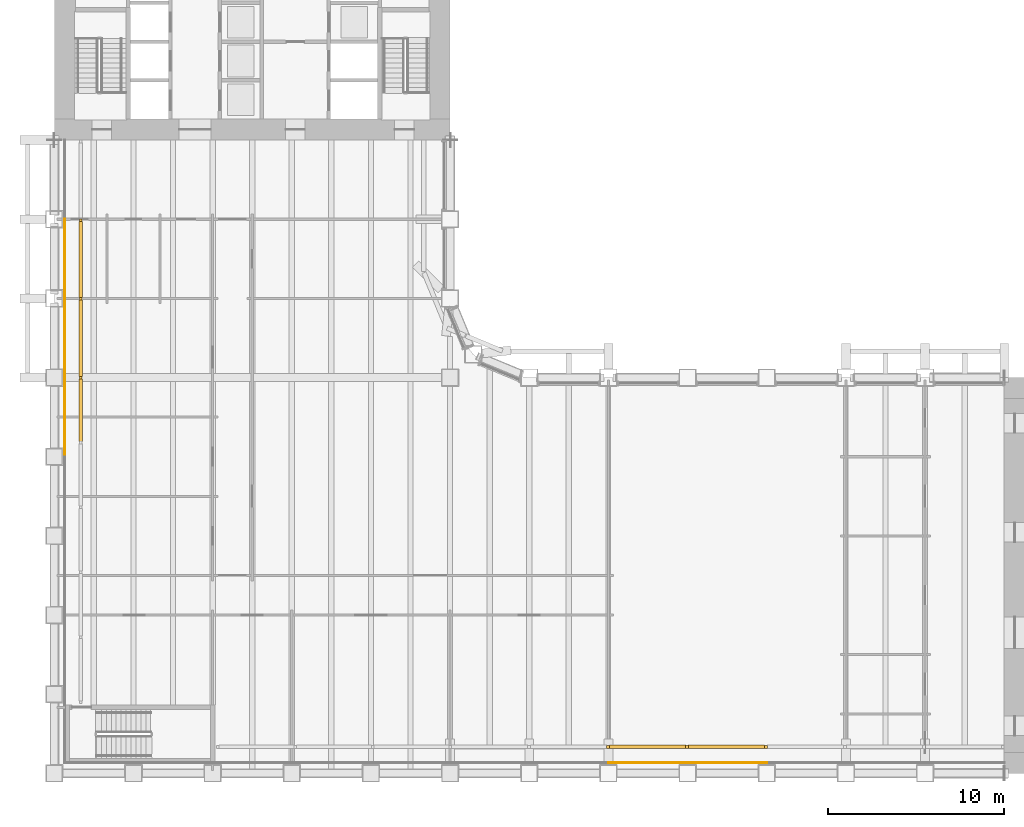
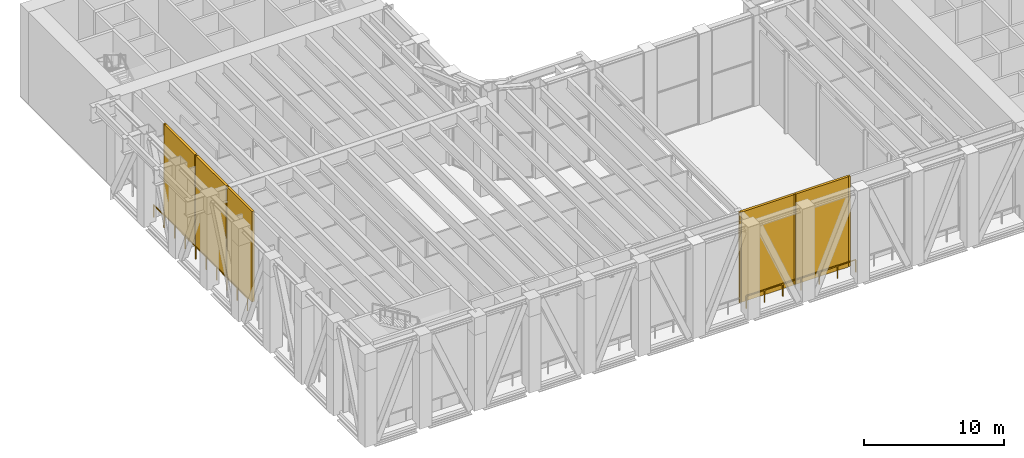
# One storey, part 17 of 21: 11 shading devices, 5 railings.
"""IFC4 building model written with IfcOpenShell, lengths in metres."""

import ifcopenshell
import ifcopenshell.guid

model = None  # the IFC model being written
_history = None  # IfcOwnerHistory: only IFC2X3 demands one
_inside = {}  # id of a spatial element -> (the spatial element, [elements in it])
_under = {}  # id of a project, library or spatial element -> (it, [spatial elements below it])
_declared = {}  # id of a project -> (the project, [libraries it declares])
_typed = {}  # id of a type object -> (the type object, [elements of that type])
_made_of = {}  # id of a material, layer set ... -> (it, [elements and type objects made of it])


def new_model(schema):
    """Start an empty IFC model of exactly this schema.

    Asked for "IFC4X3", IfcOpenShell would pick the latest addendum, in which some entities
    have other attributes; the version numbers below select the first issue.
    IFC2X3 requires an IfcOwnerHistory on every rooted entity: one is made here for all.
    """
    global model, _history
    if schema == "IFC4X3":
        model = ifcopenshell.file(schema_version=(4, 3, 0, 0))
    else:
        model = ifcopenshell.file(schema=schema)
    _inside.clear()
    _under.clear()
    _declared.clear()
    _typed.clear()
    _made_of.clear()
    _history = None
    if model.schema == "IFC2X3":
        org = make("IfcOrganization", Name="unknown")
        user = make(
            "IfcPersonAndOrganization",
            ThePerson=make("IfcPerson", FamilyName="unknown"),
            TheOrganization=org,
        )
        app = make(
            "IfcApplication",
            ApplicationDeveloper=org,
            Version="unknown",
            ApplicationFullName="unknown",
            ApplicationIdentifier="unknown",
        )
        _history = make(
            "IfcOwnerHistory",
            OwningUser=user,
            OwningApplication=app,
            ChangeAction="ADDED",
            CreationDate=0,
        )
    return model


def make(cls, **values):
    """One entity of the class cls with the attributes given. An attribute that is None is left unset."""
    return model.create_entity(
        cls, **{name: value for name, value in values.items() if value is not None}
    )


def rooted(cls, **values):
    """An entity with a GlobalId (a new one), such as an element, a storey or a relation."""
    return make(cls, GlobalId=ifcopenshell.guid.new(), OwnerHistory=_history, **values)


def si_unit(unit_type, name, prefix=None):
    """IfcSIUnit, for example si_unit("LENGTHUNIT", "METRE", prefix="MILLI")."""
    return make("IfcSIUnit", UnitType=unit_type, Prefix=prefix, Name=name)


def assignment(units):
    """IfcUnitAssignment: the units of a project."""
    return None if units is None else make("IfcUnitAssignment", Units=units)


def point(xyz):
    """IfcCartesianPoint."""
    return None if xyz is None else make("IfcCartesianPoint", Coordinates=xyz)


def direction(xyz):
    """IfcDirection."""
    return None if xyz is None else make("IfcDirection", DirectionRatios=xyz)


def frame(location, z_axis=None, x_axis=None):
    """IfcAxis2Placement3D, a coordinate frame: its origin and axes. An axis left out is left unset."""
    return make(
        "IfcAxis2Placement3D",
        Location=point(location),
        Axis=direction(z_axis),
        RefDirection=direction(x_axis),
    )


def frame_2d(location, x_axis=None):
    """IfcAxis2Placement2D, a coordinate frame in the plane: its origin and x axis."""
    return make(
        "IfcAxis2Placement2D", Location=point(location), RefDirection=direction(x_axis)
    )


def origin():
    """The frame at (0, 0, 0) with its axes left unset."""
    return frame((0.0, 0.0, 0.0))


def origin_2d():
    """The frame at (0, 0) in the plane with its x axis left unset."""
    return frame_2d((0.0, 0.0))


def place(relative_to, where):
    """IfcLocalPlacement: puts the frame where relative to a parent placement (None: the world)."""
    return make(
        "IfcLocalPlacement", PlacementRelTo=relative_to, RelativePlacement=where
    )


def context(
    kind, dimensions, precision=None, world=None, true_north=None, identifier=None
):
    """IfcGeometricRepresentationContext, for example the 3D "Model" context."""
    return make(
        "IfcGeometricRepresentationContext",
        ContextIdentifier=identifier,
        ContextType=kind,
        CoordinateSpaceDimension=dimensions,
        Precision=precision,
        WorldCoordinateSystem=world,
        TrueNorth=true_north,
    )


def subcontext(parent, identifier, kind, view, scale=None):
    """IfcGeometricRepresentationSubContext, for example "Body" below "Model"."""
    return make(
        "IfcGeometricRepresentationSubContext",
        ContextIdentifier=identifier,
        ContextType=kind,
        ParentContext=parent,
        TargetScale=scale,
        TargetView=view,
    )


def project(units=None, contexts=None):
    """IfcProject with its units and contexts."""
    return rooted(
        "IfcProject",
        Name="project",
        RepresentationContexts=contexts,
        UnitsInContext=assignment(units),
    )


def spatial(cls, under=None, at=None, **own):
    """A site, building, storey or space (cls), placed at a placement, below another one or the project."""
    s = rooted(cls, ObjectPlacement=at, **own)
    if under is not None:
        _under.setdefault(under.id(), (under, []))[1].append(s)
    return s


def profile(cls, at=None, kind="AREA", **sizes):
    """A parametric profile (cls). Its sizes go by their IFC names, for example OverallWidth=200.0."""
    return make(cls, ProfileType=kind, Position=at, **sizes)


def rectangle(**sizes):
    """IfcRectangleProfileDef."""
    return profile("IfcRectangleProfileDef", **sizes)


def extrude(swept, where, along, depth):
    """IfcExtrudedAreaSolid: the profile swept, set in the frame where, extruded along a direction by depth."""
    return make(
        "IfcExtrudedAreaSolid",
        SweptArea=swept,
        Position=where,
        ExtrudedDirection=direction(along),
        Depth=depth,
    )


def shape(context_of_items, identifier, shape_type, items):
    """IfcShapeRepresentation: the items that make up one representation, for example the "Body"."""
    return make(
        "IfcShapeRepresentation",
        ContextOfItems=context_of_items,
        RepresentationIdentifier=identifier,
        RepresentationType=shape_type,
        Items=items,
    )


def material(Name=None, Category=None):
    """IfcMaterial."""
    return make("IfcMaterial", Name=Name, Category=Category)


def layer(
    of_material, thickness, ventilated=None, Name=None, Category=None, Priority=None
):
    """IfcMaterialLayer: one layer of a wall or slab, of a material (None: an air gap)."""
    return make(
        "IfcMaterialLayer",
        Material=of_material,
        LayerThickness=thickness,
        IsVentilated=ventilated,
        Name=Name,
        Category=Category,
        Priority=Priority,
    )


def layer_set(layers, Name=None):
    """IfcMaterialLayerSet."""
    return make("IfcMaterialLayerSet", MaterialLayers=layers, LayerSetName=Name)


def made_of(thing, what):
    """Note that an element or type object is made of a material, layer set ...; save() writes the relation."""
    if what is not None:
        _made_of.setdefault(what.id(), (what, []))[1].append(thing)
    return thing


def type_object(cls, material=None, **own):
    """A type object (cls), such as IfcWallType, which elements share."""
    return made_of(rooted(cls, **own), material)


def element(
    cls,
    number,
    at=None,
    inside=None,
    cuts=None,
    type_object=None,
    material=None,
    context=None,
    identifier="Body",
    shape_type=None,
    held_by="IfcProductDefinitionShape",
    body=None,
    shapes=None,
    **own,
):
    """One element of the class cls, such as IfcWall. Its Tag is "e" and its number.

    at: its placement. inside: the storey or other place that contains it. cuts: it is an
    opening in that element (IfcRelVoidsElement). A single representation is given by context,
    identifier, shape_type and body (its items); several are given by shapes. held_by: the class
    of the entity that holds the representations. save() writes the other relations.
    """
    e = rooted(cls, Tag="e%d" % number, ObjectPlacement=at, **own)
    if body is not None:
        shapes = [shape(context, identifier, shape_type, body)]
    if shapes is not None:
        e.Representation = make(held_by, Representations=shapes)
    if inside is not None:
        _inside.setdefault(inside.id(), (inside, []))[1].append(e)
    if cuts is not None:
        rooted(
            "IfcRelVoidsElement", RelatingBuildingElement=cuts, RelatedOpeningElement=e
        )
    if type_object is not None:
        _typed.setdefault(type_object.id(), (type_object, []))[1].append(e)
    return made_of(e, material)


def aggregate(whole, parts):
    """IfcRelAggregates: a whole, such as a stair, and the parts it consists of."""
    return rooted("IfcRelAggregates", RelatingObject=whole, RelatedObjects=parts)


def save(model, path):
    """Write the relations noted so far, then the file.

    IfcRelAggregates (storeys below a building ...), IfcRelContainedInSpatialStructure (elements
    in a storey), IfcRelDefinesByType, IfcRelAssociatesMaterial and IfcRelDeclares: one each for
    every whole, place, type object, material and project.
    """
    for whole, parts in _under.values():
        aggregate(whole, parts)
    for where, things in _inside.values():
        rooted(
            "IfcRelContainedInSpatialStructure",
            RelatedElements=things,
            RelatingStructure=where,
        )
    for kind, things in _typed.values():
        rooted("IfcRelDefinesByType", RelatedObjects=things, RelatingType=kind)
    for what, things in _made_of.values():
        rooted("IfcRelAssociatesMaterial", RelatedObjects=things, RelatingMaterial=what)
    for by, libraries in _declared.values():
        rooted("IfcRelDeclares", RelatingContext=by, RelatedDefinitions=libraries)
    model.write(path)


model = new_model("IFC4")

# Units and contexts
model_context = context("Model", 3, precision=1e-05, world=origin(), true_north=direction((0.0, 1.0)))
body_context = subcontext(model_context, "Body", "Model", "MODEL_VIEW")
ifc_project = project(units=[si_unit("LENGTHUNIT", "METRE"), si_unit("AREAUNIT", "SQUARE_METRE"), si_unit("VOLUMEUNIT", "CUBIC_METRE"), si_unit("PLANEANGLEUNIT", "RADIAN"), si_unit("MASSUNIT", "GRAM", prefix="KILO")], contexts=[model_context])

# Site, building, storey
site_placement = place(None, origin())
site = spatial("IfcSite", under=ifc_project, at=site_placement, CompositionType="ELEMENT")
building_placement = place(site_placement, origin())
building = spatial("IfcBuilding", under=site, at=building_placement, Name="Sennacour Bend Tower", CompositionType="ELEMENT")
storey_placement = place(building_placement, frame((0.0, 0.0, 131.0)))
storey = spatial("IfcBuildingStorey", under=building, at=storey_placement, Name="L30", CompositionType="ELEMENT", Elevation=131.0)

# Railings
ifc_material_1 = material(Name="Stainless steel 316", Category="steel")
railing_type = type_object("IfcRailingType", Name="GUARD 1100", PredefinedType="GUARDRAIL", material=ifc_material_1)
railing_1_placement = place(storey_placement, frame((40.49951171875, 0.60009765625, 0.0)))
element("IfcRailing", 1, at=railing_1_placement, inside=storey, type_object=railing_type, Name="Guard L30", PredefinedType="GUARDRAIL", context=body_context, shape_type="SweptSolid", body=[
    extrude(rectangle(XDim=0.048095703125, YDim=0.048095703125, at=origin_2d()), frame((0.0, 0.0, 1.076171875), z_axis=(-1.0, 0.0, 0.0), x_axis=(0.0, -1.0, 0.0)), (0.0, 0.0, 1.0), 4.5),
    extrude(rectangle(XDim=0.0419921875, YDim=0.0419921875, at=origin_2d()), origin(), (0.0, 0.0, 1.0), 1.052001953125),
    extrude(rectangle(XDim=0.0419921875, YDim=0.0419921875, at=origin_2d()), frame((-1.5, 0.0, 0.0)), (0.0, 0.0, 1.0), 1.052001953125),
    extrude(rectangle(XDim=0.0419921875, YDim=0.0419921875, at=origin_2d()), frame((-3.0, 0.0, 0.0)), (0.0, 0.0, 1.0), 1.052001953125),
    extrude(rectangle(XDim=0.0419921875, YDim=0.0419921875, at=origin_2d()), frame((-4.5, 0.0, 0.0)), (0.0, 0.0, 1.0), 1.052001953125),
])
railing_2_placement = place(storey_placement, frame((35.99951171875, 0.60009765625, 0.0)))
element("IfcRailing", 2, at=railing_2_placement, inside=storey, type_object=railing_type, Name="Guard L30", PredefinedType="GUARDRAIL", context=body_context, shape_type="SweptSolid", body=[
    extrude(rectangle(XDim=0.048095703125, YDim=0.048095703125, at=origin_2d()), frame((0.0, 0.0, 1.076171875), z_axis=(-1.0, 0.0, 0.0), x_axis=(0.0, -1.0, 0.0)), (0.0, 0.0, 1.0), 4.499755859375),
    extrude(rectangle(XDim=0.0419921875, YDim=0.0419921875, at=origin_2d()), origin(), (0.0, 0.0, 1.0), 1.052001953125),
    extrude(rectangle(XDim=0.0419921875, YDim=0.0419921875, at=origin_2d()), frame((-1.5, 0.0, 0.0)), (0.0, 0.0, 1.0), 1.052001953125),
    extrude(rectangle(XDim=0.0419921875, YDim=0.0419921875, at=origin_2d()), frame((-2.999755859375, 0.0, 0.0)), (0.0, 0.0, 1.0), 1.052001953125),
    extrude(rectangle(XDim=0.0419921875, YDim=0.0419921875, at=origin_2d()), frame((-4.499755859375, 0.0, 0.0)), (0.0, 0.0, 1.0), 1.052001953125),
])
railing_3_placement = place(storey_placement, frame((0.60009765625, 18.1201171875, 0.0)))
element("IfcRailing", 3, at=railing_3_placement, inside=storey, type_object=railing_type, Name="Guard L30", PredefinedType="GUARDRAIL", context=body_context, shape_type="SweptSolid", body=[
    extrude(rectangle(XDim=0.048095703125, YDim=0.048095703125, at=origin_2d()), frame((0.0, 0.0, 1.076171875), z_axis=(0.0, 1.0, 0.0), x_axis=(-1.0, 0.0, 0.0)), (0.0, 0.0, 1.0), 4.3798828125),
    extrude(rectangle(XDim=0.0419921875, YDim=0.0419921875, at=origin_2d()), origin(), (0.0, 0.0, 1.0), 1.052001953125),
    extrude(rectangle(XDim=0.0419921875, YDim=0.0419921875, at=origin_2d()), frame((0.0, 1.4599609375, 0.0)), (0.0, 0.0, 1.0), 1.052001953125),
    extrude(rectangle(XDim=0.0419921875, YDim=0.0419921875, at=origin_2d()), frame((0.0, 2.919921875, 0.0)), (0.0, 0.0, 1.0), 1.052001953125),
    extrude(rectangle(XDim=0.0419921875, YDim=0.0419921875, at=origin_2d()), frame((0.0, 4.3798828125, 0.0)), (0.0, 0.0, 1.0), 1.052001953125),
])
railing_4_placement = place(storey_placement, frame((0.60009765625, 22.5, 0.0)))
element("IfcRailing", 4, at=railing_4_placement, inside=storey, type_object=railing_type, Name="Guard L30", PredefinedType="GUARDRAIL", context=body_context, shape_type="SweptSolid", body=[
    extrude(rectangle(XDim=0.048095703125, YDim=0.048095703125, at=origin_2d()), frame((0.0, 0.0, 1.076171875), z_axis=(0.0, 1.0, 0.0), x_axis=(-1.0, 0.0, 0.0)), (0.0, 0.0, 1.0), 4.499755859375),
    extrude(rectangle(XDim=0.0419921875, YDim=0.0419921875, at=origin_2d()), origin(), (0.0, 0.0, 1.0), 1.052001953125),
    extrude(rectangle(XDim=0.0419921875, YDim=0.0419921875, at=origin_2d()), frame((0.0, 1.5, 0.0)), (0.0, 0.0, 1.0), 1.052001953125),
    extrude(rectangle(XDim=0.0419921875, YDim=0.0419921875, at=origin_2d()), frame((0.0, 2.999755859375, 0.0)), (0.0, 0.0, 1.0), 1.052001953125),
    extrude(rectangle(XDim=0.0419921875, YDim=0.0419921875, at=origin_2d()), frame((0.0, 4.499755859375, 0.0)), (0.0, 0.0, 1.0), 1.052001953125),
])
railing_5_placement = place(storey_placement, frame((0.60009765625, 26.999755859375, 0.0)))
element("IfcRailing", 5, at=railing_5_placement, inside=storey, type_object=railing_type, Name="Guard L30", PredefinedType="GUARDRAIL", context=body_context, shape_type="SweptSolid", body=[
    extrude(rectangle(XDim=0.048095703125, YDim=0.048095703125, at=origin_2d()), frame((0.0, 0.0, 1.076171875), z_axis=(0.0, 1.0, 0.0), x_axis=(-1.0, 0.0, 0.0)), (0.0, 0.0, 1.0), 4.49951171875),
    extrude(rectangle(XDim=0.0419921875, YDim=0.0419921875, at=origin_2d()), origin(), (0.0, 0.0, 1.0), 1.052001953125),
    extrude(rectangle(XDim=0.0419921875, YDim=0.0419921875, at=origin_2d()), frame((0.0, 1.499755859375, 0.0)), (0.0, 0.0, 1.0), 1.052001953125),
    extrude(rectangle(XDim=0.0419921875, YDim=0.0419921875, at=origin_2d()), frame((0.0, 2.999755859375, 0.0)), (0.0, 0.0, 1.0), 1.052001953125),
    extrude(rectangle(XDim=0.0419921875, YDim=0.0419921875, at=origin_2d()), frame((0.0, 4.49951171875, 0.0)), (0.0, 0.0, 1.0), 1.052001953125),
])

# Shading devices
ifc_material_2 = material(Name="Dark bronze anodised aluminium louvre", Category="aluminium")
ifc_layer = layer(ifc_material_2, 0.199951171875, Name="Dark bronze anodised aluminium louvre", Category="aluminium")
ifc_layer_set = layer_set([ifc_layer], Name="Dark bronze anodised aluminium louvre")
shading_device_type_1 = type_object("IfcShadingDeviceType", Name="LOUVRE BANK 200", PredefinedType="USERDEFINED", material=ifc_layer_set)
for number, where, z_axis, x_axis, name in (
    (6, (38.2119140625, 1.5, 0.0), (0.0, 0.0, 1.0), (-1.0, 0.0, 0.0), "Louvre bank L30"),
    (7, (33.722900390625, 1.5, 0.0), (0.0, 0.0, 1.0), (-1.0, 0.0, 0.0), "Louvre bank L30"),
):
    element("IfcShadingDevice", number, at=place(storey_placement, frame(where, z_axis=z_axis, x_axis=x_axis)), inside=storey, type_object=shading_device_type_1, Name=name, ObjectType="LOUVRE", PredefinedType="USERDEFINED", context=body_context, shape_type="SweptSolid", body=[
        extrude(rectangle(XDim=4.34912109375, YDim=0.199951171875, at=origin_2d()), origin(), (0.0, 0.0, 1.0), 7.85009765625),
    ])
shading_device_placement = place(storey_placement, frame((1.5, 20.655029296875, 0.0), z_axis=(0.0, 0.0, 1.0), x_axis=(0.0, 1.0, 0.0)))
element("IfcShadingDevice", 8, at=shading_device_placement, inside=storey, type_object=shading_device_type_1, Name="Louvre bank L30", ObjectType="LOUVRE", PredefinedType="USERDEFINED", context=body_context, shape_type="SweptSolid", body=[
    extrude(rectangle(XDim=3.550048828125, YDim=0.199951171875, at=origin_2d()), origin(), (0.0, 0.0, 1.0), 7.85009765625),
])
for number, where, z_axis, x_axis, name in (
    (9, (1.5, 24.7373046875, 0.0), (0.0, 0.0, 1.0), (0.0, 1.0, 0.0), "Louvre bank L30"),
    (10, (1.5, 29.2119140625, 0.0), (0.0, 0.0, 1.0), (0.0, 1.0, 0.0), "Louvre bank L30"),
):
    element("IfcShadingDevice", number, at=place(storey_placement, frame(where, z_axis=z_axis, x_axis=x_axis)), inside=storey, type_object=shading_device_type_1, Name=name, ObjectType="LOUVRE", PredefinedType="USERDEFINED", context=body_context, shape_type="SweptSolid", body=[
        extrude(rectangle(XDim=4.334716796875, YDim=0.199951171875, at=origin_2d()), origin(), (0.0, 0.0, 1.0), 7.85009765625),
    ])
shading_device_type_2 = type_object("IfcShadingDeviceType", Name="LOUVRE WALL POST 150", PredefinedType="USERDEFINED", material=ifc_material_2)
for number, where, z_axis, x_axis, name in (
    (11, (40.45654296875, 1.5, 0.0), (0.0, 0.0, 1.0), (1.0, 0.0, 0.0), "Louvre wall post L30"),
    (12, (35.96728515625, 1.5, 0.0), (0.0, 0.0, 1.0), (1.0, 0.0, 0.0), "Louvre wall post L30"),
    (13, (31.478271484375, 1.5, 0.0), (0.0, 0.0, 1.0), (1.0, 0.0, 0.0), "Louvre wall post L30"),
    (14, (1.5, 22.5, 0.0), (0.0, 0.0, 1.0), (1.0, 0.0, 0.0), "Louvre wall post L30"),
    (15, (1.5, 26.974609375, 0.0), (0.0, 0.0, 1.0), (1.0, 0.0, 0.0), "Louvre wall post L30"),
    (16, (1.5, 31.44921875, 0.0), (0.0, 0.0, 1.0), (1.0, 0.0, 0.0), "Louvre wall post L30"),
):
    element("IfcShadingDevice", number, at=place(storey_placement, frame(where, z_axis=z_axis, x_axis=x_axis)), inside=storey, type_object=shading_device_type_2, Name=name, ObjectType="LOUVRE", PredefinedType="USERDEFINED", context=body_context, shape_type="SweptSolid", body=[
        extrude(rectangle(XDim=0.14990234375, YDim=0.14990234375, at=origin_2d()), origin(), (0.0, 0.0, 1.0), 7.85009765625),
    ])

save(model, "model.ifc")
